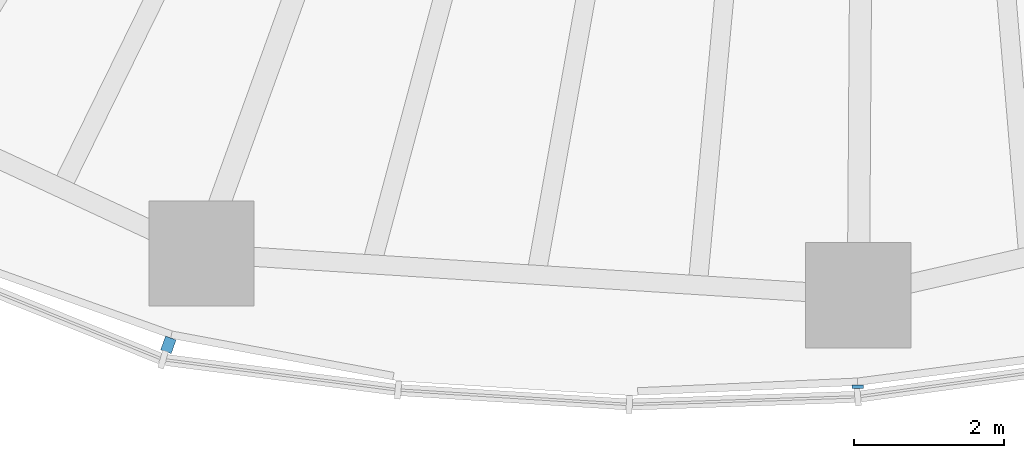
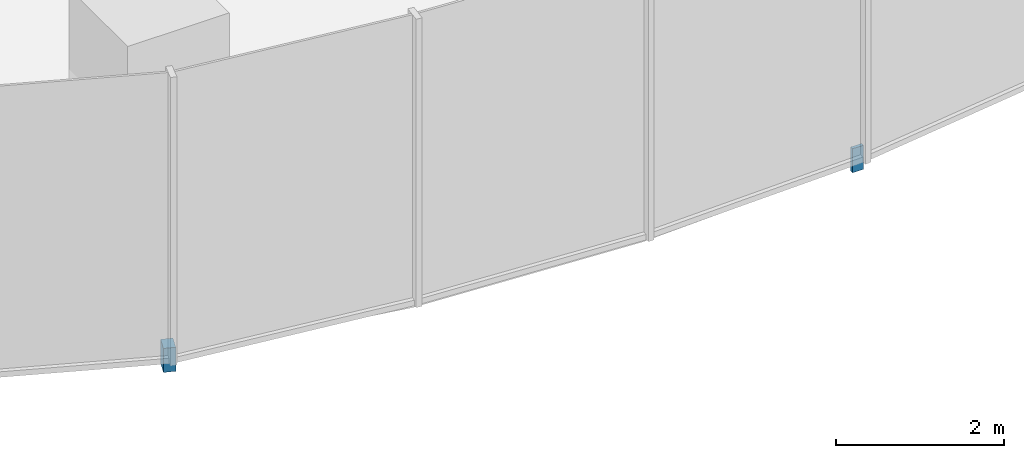
# One storey, part 12 of 18: 2 discrete accessories.
"""IFC4 building model written with IfcOpenShell, lengths in metres."""

from ifc_helpers import new_model, si_unit, direction, frame, origin, origin_2d, place, context, subcontext, project, spatial, rectangle, extrude, material, type_object, element, save


model = new_model("IFC4")

# Units and contexts
model_context = context("Model", 3, precision=1e-05, world=origin(), true_north=direction((0.0, 1.0)))
body_context = subcontext(model_context, "Body", "Model", "MODEL_VIEW")
ifc_project = project(units=[si_unit("LENGTHUNIT", "METRE"), si_unit("AREAUNIT", "SQUARE_METRE"), si_unit("VOLUMEUNIT", "CUBIC_METRE"), si_unit("PLANEANGLEUNIT", "RADIAN"), si_unit("MASSUNIT", "GRAM", prefix="KILO")], contexts=[model_context])

# Site, building, storey
site_placement = place(None, origin())
site = spatial("IfcSite", under=ifc_project, at=site_placement, CompositionType="ELEMENT")
building_placement = place(site_placement, origin())
building = spatial("IfcBuilding", under=site, at=building_placement, Name="Ghaith Harvest Tower", CompositionType="ELEMENT")
storey_placement = place(building_placement, frame((0.0, 0.0, 147.0)))
storey = spatial("IfcBuildingStorey", under=building, at=storey_placement, Name="L31", CompositionType="ELEMENT", Elevation=147.0)

# Discrete accessories
ifc_material_1 = material(Name="Stainless steel grade 1.4401", Category="steel")
discrete_accessory_type_1 = type_object("IfcDiscreteAccessoryType", Name="CURTAIN WALL BRACKET 195", PredefinedType="BRACKET", material=ifc_material_1)
discrete_accessory_1_placement = place(storey_placement, frame((-9.348388671875, -25.883544921875, -0.25), z_axis=(0.0, 0.0, 1.0), x_axis=(-0.33969945263, -0.940534040789, 0.0)))
element("IfcDiscreteAccessory", 1, at=discrete_accessory_1_placement, inside=storey, type_object=discrete_accessory_type_1, Name="CW-L bracket 1 bay 15 L31", PredefinedType="BRACKET", context=body_context, shape_type="SweptSolid", body=[
    extrude(rectangle(XDim=0.195068359375, YDim=0.14990234375, at=origin_2d()), origin(), (0.0, 0.0, 1.0), 0.35009765625),
])
ifc_material_2 = material(Name="Stainless steel grade 1.4401", Category="steel")
discrete_accessory_type_2 = type_object("IfcDiscreteAccessoryType", Name="CURTAIN WALL BRACKET 45", PredefinedType="BRACKET", material=ifc_material_2)
discrete_accessory_2_placement = place(storey_placement, frame((-0.180908203125, -26.441162109375, -0.25), z_axis=(0.0, 0.0, 1.0), x_axis=(-0.006843747957, -0.999976581283, 0.0)))
element("IfcDiscreteAccessory", 2, at=discrete_accessory_2_placement, inside=storey, type_object=discrete_accessory_type_2, Name="CW-L bracket 1 bay 16 L31", PredefinedType="BRACKET", context=body_context, shape_type="SweptSolid", body=[
    extrude(rectangle(XDim=0.044921875, YDim=0.14990234375, at=origin_2d()), origin(), (0.0, 0.0, 1.0), 0.35009765625),
])

save(model, "model.ifc")
